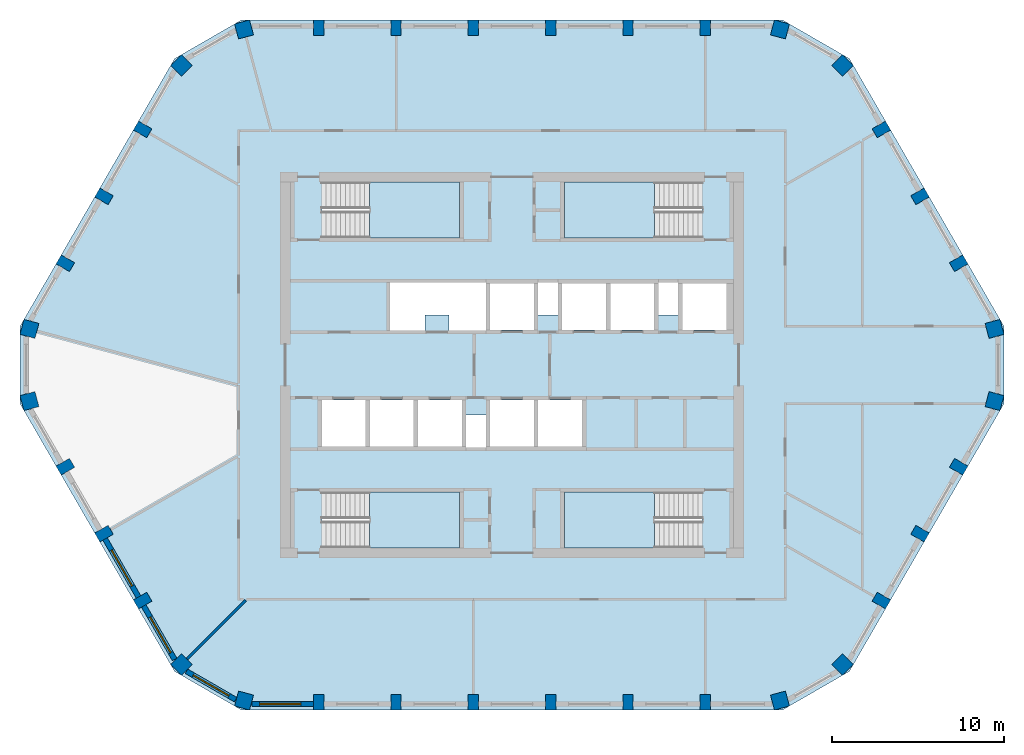
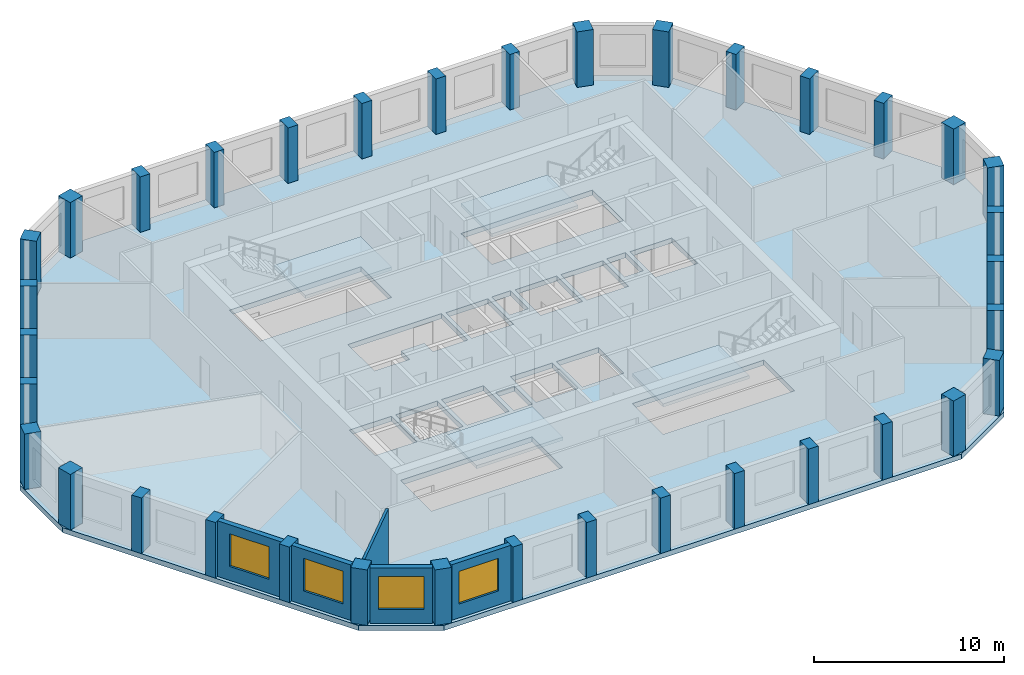
# One storey, part 1 of 9: 36 columns, 5 slabs, 5 walls, 4 windows, 4 openings, 4 elements without a shape of their own.
"""IFC4 building model written with IfcOpenShell, lengths in metres."""

from ifc_helpers import new_model, si_unit, direction, frame, frame_2d, origin, origin_2d, place, context, subcontext, project, spatial, polyline, rectangle, outline, extrude, material, layer, layer_set, material_profile, profile_set, type_object, element, fill, aggregate, save


model = new_model("IFC4")

# Units and contexts
model_context = context("Model", 3, precision=1e-05, world=origin(), true_north=direction((0.0, 1.0)))
body_context = subcontext(model_context, "Body", "Model", "MODEL_VIEW")
ifc_project = project(units=[si_unit("LENGTHUNIT", "METRE"), si_unit("AREAUNIT", "SQUARE_METRE"), si_unit("VOLUMEUNIT", "CUBIC_METRE"), si_unit("PLANEANGLEUNIT", "RADIAN"), si_unit("MASSUNIT", "GRAM", prefix="KILO")], contexts=[model_context])

# Site, building, storey
site_placement = place(None, origin())
site = spatial("IfcSite", under=ifc_project, at=site_placement, CompositionType="ELEMENT")
building_placement = place(site_placement, origin())
building = spatial("IfcBuilding", under=site, at=building_placement, Name="Dhurran Vertical Campus", CompositionType="ELEMENT")
storey_placement = place(building_placement, frame((0.0, 0.0, 294.300048828125)))
storey = spatial("IfcBuildingStorey", under=building, at=storey_placement, Name="L73", CompositionType="ELEMENT", Elevation=294.300048828125)

# Columns
ifc_material_1 = material(Name="Concrete C50/60", Category="concrete")
ifc_material_profile_1 = material_profile(ifc_material_1, rectangle(XDim=0.60009765625, YDim=0.89990234375, at=origin_2d()), Name="RC 600x900")
ifc_profile_set_1 = profile_set([ifc_material_profile_1], Name="Concrete C50/60")
column_type_1 = type_object("IfcColumnType", Name="FR COL RC 600x900 C50/60", PredefinedType="COLUMN", material=ifc_profile_set_1)
for number, where, z_axis, x_axis, name in (
    (1, (-11.25, -19.638427734375, 0.0), (0.0, 0.0, 1.0), (1.0, 0.0, 0.0), "Perimeter pier PP6.01"),
    (2, (-6.75, -19.638427734375, 0.0), (0.0, 0.0, 1.0), (1.0, 0.0, 0.0), "Perimeter pier PP6.02"),
    (3, (-2.25, -19.638427734375, 0.0), (0.0, 0.0, 1.0), (1.0, 0.0, 0.0), "Perimeter pier PP6.03"),
    (4, (2.25, -19.638427734375, 0.0), (0.0, 0.0, 1.0), (1.0, 0.0, 0.0), "Perimeter pier PP6.04"),
    (5, (6.75, -19.638427734375, 0.0), (0.0, 0.0, 1.0), (1.0, 0.0, 0.0), "Perimeter pier PP6.05"),
    (6, (11.25, -19.638427734375, 0.0), (0.0, 0.0, 1.0), (1.0, 0.0, 0.0), "Perimeter pier PP6.06"),
    (7, (21.50732421875, -13.71630859375, 0.0), (0.0, 0.0, 1.0), (0.5, 0.866025403784, 0.0), "Perimeter pier PP6.09"),
    (8, (23.75732421875, -9.819091796875, 0.0), (0.0, 0.0, 1.0), (0.5, 0.866025403784, 0.0), "Perimeter pier PP6.10"),
    (9, (26.00732421875, -5.922119140625, 0.0), (0.0, 0.0, 1.0), (0.5, 0.866025403784, 0.0), "Perimeter pier PP6.11"),
    (10, (26.00732421875, 5.922119140625, 0.0), (0.0, 0.0, 1.0), (-0.5, 0.866025403784, 0.0), "Perimeter pier PP6.14"),
    (11, (23.75732421875, 9.819091796875, 0.0), (0.0, 0.0, 1.0), (-0.5, 0.866025403784, 0.0), "Perimeter pier PP6.15"),
    (12, (21.50732421875, 13.71630859375, 0.0), (0.0, 0.0, 1.0), (-0.5, 0.866025403784, 0.0), "Perimeter pier PP6.16"),
    (13, (11.25, 19.638427734375, 0.0), (0.0, 0.0, 1.0), (-1.0, 0.0, 0.0), "Perimeter pier PP6.19"),
    (14, (6.75, 19.638427734375, 0.0), (0.0, 0.0, 1.0), (-1.0, 0.0, 0.0), "Perimeter pier PP6.20"),
    (15, (2.25, 19.638427734375, 0.0), (0.0, 0.0, 1.0), (-1.0, 0.0, 0.0), "Perimeter pier PP6.21"),
    (16, (-2.25, 19.638427734375, 0.0), (0.0, 0.0, 1.0), (-1.0, 0.0, 0.0), "Perimeter pier PP6.22"),
    (17, (-6.75, 19.638427734375, 0.0), (0.0, 0.0, 1.0), (-1.0, 0.0, 0.0), "Perimeter pier PP6.23"),
    (18, (-11.25, 19.638427734375, 0.0), (0.0, 0.0, 1.0), (-1.0, 0.0, 0.0), "Perimeter pier PP6.24"),
    (19, (-21.50732421875, 13.71630859375, 0.0), (0.0, 0.0, 1.0), (-0.5, -0.866025403784, 0.0), "Perimeter pier PP6.27"),
    (20, (-23.75732421875, 9.819091796875, 0.0), (0.0, 0.0, 1.0), (-0.5, -0.866025403784, 0.0), "Perimeter pier PP6.28"),
    (21, (-26.00732421875, 5.922119140625, 0.0), (0.0, 0.0, 1.0), (-0.5, -0.866025403784, 0.0), "Perimeter pier PP6.29"),
    (22, (-26.00732421875, -5.922119140625, 0.0), (0.0, 0.0, 1.0), (0.5, -0.866025403784, 0.0), "Perimeter pier PP6.32"),
    (23, (-23.75732421875, -9.819091796875, 0.0), (0.0, 0.0, 1.0), (0.5, -0.866025403784, 0.0), "Perimeter pier PP6.33"),
    (24, (-21.50732421875, -13.71630859375, 0.0), (0.0, 0.0, 1.0), (0.5, -0.866025403784, 0.0), "Perimeter pier PP6.34"),
):
    element("IfcColumn", number, at=place(storey_placement, frame(where, z_axis=z_axis, x_axis=x_axis)), inside=storey, type_object=column_type_1, Name=name, PredefinedType="COLUMN", context=body_context, shape_type="SweptSolid", body=[
        extrude(rectangle(XDim=0.60009765625, YDim=0.89990234375, at=origin_2d()), origin(), (0.0, 0.0, 1.0), 3.574951171875),
    ])
ifc_material_2 = material(Name="Concrete C50/60", Category="concrete")
ifc_material_profile_2 = material_profile(ifc_material_2, rectangle(XDim=0.89990234375, YDim=0.89990234375, at=origin_2d()), Name="RC 900x900")
ifc_profile_set_2 = profile_set([ifc_material_profile_2], Name="Concrete C50/60")
column_type_2 = type_object("IfcColumnType", Name="FR COL RC 900x900 C50/60", PredefinedType="COLUMN", material=ifc_profile_set_2)
for number, where, z_axis, x_axis, name in (
    (25, (-15.602294921875, -19.537353515625, 0.0), (0.0, 0.0, 1.0), (0.965925826289, -0.258819045103, 0.0), "Perimeter pier PP6.00"),
    (26, (15.602294921875, -19.537353515625, 0.0), (0.0, 0.0, 1.0), (0.965925826289, 0.258819045103, 0.0), "Perimeter pier PP6.07"),
    (27, (19.24365234375, -17.43505859375, 0.0), (0.0, 0.0, 1.0), (0.707106781187, 0.707106781187, 0.0), "Perimeter pier PP6.08"),
    (28, (28.095947265625, -2.102294921875, 0.0), (0.0, 0.0, 1.0), (0.258819045103, 0.965925826289, 0.0), "Perimeter pier PP6.12"),
    (29, (28.095947265625, 2.102294921875, 0.0), (0.0, 0.0, 1.0), (-0.258819045103, 0.965925826289, 0.0), "Perimeter pier PP6.13"),
    (30, (19.24365234375, 17.43505859375, 0.0), (0.0, 0.0, 1.0), (-0.707106781187, 0.707106781187, 0.0), "Perimeter pier PP6.17"),
    (31, (15.602294921875, 19.537353515625, 0.0), (0.0, 0.0, 1.0), (-0.965925826289, 0.258819045103, 0.0), "Perimeter pier PP6.18"),
    (32, (-15.602294921875, 19.537353515625, 0.0), (0.0, 0.0, 1.0), (-0.965925826289, -0.258819045103, 0.0), "Perimeter pier PP6.25"),
    (33, (-19.24365234375, 17.43505859375, 0.0), (0.0, 0.0, 1.0), (-0.707106781187, -0.707106781187, 0.0), "Perimeter pier PP6.26"),
    (34, (-28.095947265625, 2.102294921875, 0.0), (0.0, 0.0, 1.0), (-0.258819045103, -0.965925826289, 0.0), "Perimeter pier PP6.30"),
    (35, (-28.095947265625, -2.102294921875, 0.0), (0.0, 0.0, 1.0), (0.258819045103, -0.965925826289, 0.0), "Perimeter pier PP6.31"),
    (36, (-19.24365234375, -17.43505859375, 0.0), (0.0, 0.0, 1.0), (0.707106781187, -0.707106781187, 0.0), "Perimeter pier PP6.35"),
):
    element("IfcColumn", number, at=place(storey_placement, frame(where, z_axis=z_axis, x_axis=x_axis)), inside=storey, type_object=column_type_2, Name=name, PredefinedType="COLUMN", context=body_context, shape_type="SweptSolid", body=[
        extrude(rectangle(XDim=0.89990234375, YDim=0.89990234375, at=origin_2d()), origin(), (0.0, 0.0, 1.0), 3.574951171875),
    ])

# Slab
ifc_material_3 = material(Name="Concrete C40/50", Category="concrete")
ifc_layer_1 = layer(ifc_material_3, 0.324951171875)
ifc_layer_set_1 = layer_set([ifc_layer_1], Name="Concrete C40/50")
slab_type_1 = type_object("IfcSlabType", Name="FR POST-TENSIONED FLAT SLAB 325", PredefinedType="FLOOR", material=ifc_layer_set_1)
slab_1_placement = place(storey_placement, frame((0.0, 0.0, -0.324951171875)))
element("IfcSlab", 37, at=slab_1_placement, inside=storey, type_object=slab_type_1, Name="Floor slab L73", PredefinedType="FLOOR", context=body_context, shape_type="SweptSolid", body=[
    extrude(outline(polyline([(-15.75, -20.08837890625), (15.75, -20.08837890625), (19.647216796875, -17.83837890625), (28.647216796875, -2.25), (28.647216796875, 2.25), (19.647216796875, 17.83837890625), (15.75, 20.08837890625), (-15.75, 20.08837890625), (-19.647216796875, 17.83837890625), (-28.647216796875, 2.25), (-28.647216796875, -2.25), (-19.647216796875, -17.83837890625), (-15.75, -20.08837890625)]), holes=[polyline([(-1.27490234375, 2.050048828125), (1.27490234375, 2.050048828125), (1.27490234375, 4.75), (-1.27490234375, 4.75), (-1.27490234375, 2.050048828125)]), polyline([(9.925048828125, 2.050048828125), (12.47509765625, 2.050048828125), (12.47509765625, 4.75), (9.925048828125, 4.75), (9.925048828125, 2.050048828125)]), polyline([(-1.27490234375, -4.75), (1.27490234375, -4.75), (1.27490234375, -2.050048828125), (-1.27490234375, -2.050048828125), (-1.27490234375, -4.75)]), polyline([(1.52490234375, -4.75), (4.074951171875, -4.75), (4.074951171875, -2.050048828125), (1.52490234375, -2.050048828125), (1.52490234375, -4.75)]), polyline([(2.925048828125, 2.050048828125), (5.47509765625, 2.050048828125), (5.47509765625, 4.75), (2.925048828125, 4.75), (2.925048828125, 2.050048828125)]), polyline([(5.72509765625, 2.050048828125), (8.27490234375, 2.050048828125), (8.27490234375, 4.75), (5.72509765625, 4.75), (5.72509765625, 2.050048828125)]), polyline([(-11.074951171875, -4.75), (-8.52490234375, -4.75), (-8.52490234375, -2.050048828125), (-11.074951171875, -2.050048828125), (-11.074951171875, -4.75)]), polyline([(-8.27490234375, -4.75), (-5.72509765625, -4.75), (-5.72509765625, -2.050048828125), (-8.27490234375, -2.050048828125), (-8.27490234375, -4.75)]), polyline([(-5.47509765625, -4.75), (-2.925048828125, -4.75), (-2.925048828125, -2.050048828125), (-5.47509765625, -2.050048828125), (-5.47509765625, -4.75)]), polyline([(-11.050048828125, 7.39990234375), (-3.050048828125, 7.39990234375), (-3.050048828125, 10.64990234375), (-11.050048828125, 10.64990234375), (-11.050048828125, 7.39990234375)]), polyline([(3.050048828125, 7.39990234375), (11.050048828125, 7.39990234375), (11.050048828125, 10.64990234375), (3.050048828125, 10.64990234375), (3.050048828125, 7.39990234375)]), polyline([(-11.050048828125, -10.64990234375), (-3.050048828125, -10.64990234375), (-3.050048828125, -7.39990234375), (-11.050048828125, -7.39990234375), (-11.050048828125, -10.64990234375)]), polyline([(3.050048828125, -10.64990234375), (11.050048828125, -10.64990234375), (11.050048828125, -7.39990234375), (3.050048828125, -7.39990234375), (3.050048828125, -10.64990234375)]), polyline([(2.675048828125, 2.89990234375), (1.52490234375, 2.89990234375), (1.52490234375, 4.800048828125), (2.675048828125, 4.800048828125), (2.675048828125, 2.89990234375)]), polyline([(-2.675048828125, -2.89990234375), (-1.52490234375, -2.89990234375), (-1.52490234375, -4.800048828125), (-2.675048828125, -4.800048828125), (-2.675048828125, -2.89990234375)]), polyline([(9.675048828125, 2.89990234375), (8.52490234375, 2.89990234375), (8.52490234375, 4.800048828125), (9.675048828125, 4.800048828125), (9.675048828125, 2.89990234375)]), polyline([(-1.52490234375, 4.800048828125), (-1.52490234375, 2.0), (-3.668701171875, 2.0), (-3.668701171875, 2.89990234375), (-5.068603515625, 2.89990234375), (-5.068603515625, 2.0), (-7.21240234375, 2.0), (-7.21240234375, 4.800048828125), (-1.52490234375, 4.800048828125)])]), origin(), (0.0, 0.0, 1.0), 0.324951171875),
])

# Stair, slab
ifc_material_4 = material(Name="Concrete C40/50", Category="concrete")
stair_type = type_object("IfcStairType", Name="co-ST-CORE", PredefinedType="HALF_TURN_STAIR", material=ifc_material_4)
stair_1_placement = place(storey_placement, origin())
stair_1 = element("IfcStair", 38, at=stair_1_placement, inside=storey, type_object=stair_type, Name="L73 Protected exit stair ST1", PredefinedType="HALF_TURN_STAIR")
ifc_material_5 = material(Name="Concrete C40/50", Category="concrete")
ifc_layer_2 = layer(ifc_material_5, 0.199951171875)
ifc_layer_set_2 = layer_set([ifc_layer_2], Name="Concrete C40/50")
slab_type_2 = type_object("IfcSlabType", Name="co-SL-LANDING", PredefinedType="LANDING", material=ifc_layer_set_2)
slab_2_placement = place(storey_placement, frame((0.0, 0.0, 1.75)))
slab_2 = element("IfcSlab", 39, at=slab_2_placement, type_object=slab_type_2, Name="ST1 landing 1", PredefinedType="LANDING", context=body_context, shape_type="SweptSolid", body=[
    extrude(outline(polyline([(-8.300048828125, 7.39990234375), (-3.050048828125, 7.39990234375), (-3.050048828125, 10.64990234375), (-8.300048828125, 10.64990234375), (-8.300048828125, 7.39990234375)])), origin(), (0.0, 0.0, 1.0), 0.199951171875),
])
aggregate(stair_1, [slab_2])

stair_2_placement = place(storey_placement, origin())
stair_2 = element("IfcStair", 40, at=stair_2_placement, inside=storey, type_object=stair_type, Name="L73 Protected exit stair ST2", PredefinedType="HALF_TURN_STAIR")
slab_3_placement = place(storey_placement, frame((0.0, 0.0, 1.75)))
slab_3 = element("IfcSlab", 41, at=slab_3_placement, type_object=slab_type_2, Name="ST2 landing 1", PredefinedType="LANDING", context=body_context, shape_type="SweptSolid", body=[
    extrude(outline(polyline([(8.300048828125, 10.64990234375), (3.050048828125, 10.64990234375), (3.050048828125, 7.39990234375), (8.300048828125, 7.39990234375), (8.300048828125, 10.64990234375)])), origin(), (0.0, 0.0, 1.0), 0.199951171875),
])
aggregate(stair_2, [slab_3])

stair_3_placement = place(storey_placement, origin())
stair_3 = element("IfcStair", 42, at=stair_3_placement, inside=storey, type_object=stair_type, Name="L73 Protected exit stair ST3", PredefinedType="HALF_TURN_STAIR")
slab_4_placement = place(storey_placement, frame((0.0, 0.0, 1.75)))
slab_4 = element("IfcSlab", 43, at=slab_4_placement, type_object=slab_type_2, Name="ST3 landing 1", PredefinedType="LANDING", context=body_context, shape_type="SweptSolid", body=[
    extrude(outline(polyline([(-8.300048828125, -10.64990234375), (-3.050048828125, -10.64990234375), (-3.050048828125, -7.39990234375), (-8.300048828125, -7.39990234375), (-8.300048828125, -10.64990234375)])), origin(), (0.0, 0.0, 1.0), 0.199951171875),
])
aggregate(stair_3, [slab_4])

stair_4_placement = place(storey_placement, origin())
stair_4 = element("IfcStair", 44, at=stair_4_placement, inside=storey, type_object=stair_type, Name="L73 Protected exit stair ST4", PredefinedType="HALF_TURN_STAIR")
slab_5_placement = place(storey_placement, frame((0.0, 0.0, 1.75)))
slab_5 = element("IfcSlab", 45, at=slab_5_placement, type_object=slab_type_2, Name="ST4 landing 1", PredefinedType="LANDING", context=body_context, shape_type="SweptSolid", body=[
    extrude(outline(polyline([(8.300048828125, -7.39990234375), (3.050048828125, -7.39990234375), (3.050048828125, -10.64990234375), (8.300048828125, -10.64990234375), (8.300048828125, -7.39990234375)])), origin(), (0.0, 0.0, 1.0), 0.199951171875),
])
aggregate(stair_4, [slab_5])

# Wall, opening, window
ifc_material_6 = material(Name="Precast concrete C50/60", Category="concrete")
ifc_layer_3 = layer(ifc_material_6, 0.300048828125)
ifc_layer_set_3 = layer_set([ifc_layer_3], Name="Precast concrete C50/60")
wall_type_1 = type_object("IfcWallType", Name="Precast spandrel wall 300", PredefinedType="SOLIDWALL", material=ifc_layer_set_3)
wall_1_placement = place(storey_placement, frame((-15.14990234375, -19.738525390625, 0.0), z_axis=(0.0, 0.0, 1.0), x_axis=(1.0, 0.0, 0.0)))
wall_1 = element("IfcWall", 46, at=wall_1_placement, inside=storey, type_object=wall_type_1, Name="EW1 L73.00", PredefinedType="SOLIDWALL", context=body_context, shape_type="SweptSolid", body=[
    extrude(rectangle(XDim=3.599365234375, YDim=0.300048828125, at=frame_2d((1.7998046875, 0.0))), origin(), (0.0, 0.0, 1.0), 3.574951171875),
])
opening_1_placement = place(wall_1_placement, frame((0.449951171875, 0.0, 0.89990234375)))
opening_1 = element("IfcOpeningElement", 47, at=opening_1_placement, cuts=wall_1, Name="Opening WT1", PredefinedType="OPENING", context=body_context, shape_type="SweptSolid", body=[
    extrude(rectangle(XDim=2.39990234375, YDim=2.10009765625, at=frame_2d((1.199951171875, 1.050048828125))), frame((0.0, 0.159912109375, 0.0), z_axis=(0.0, -1.0, 0.0), x_axis=(1.0, 0.0, 0.0)), (0.0, 0.0, 1.0), 0.320068359375),
])
ifc_material_7 = material(Name="Aluminium frame with solar-control glass", Category="aluminium")
window_type = type_object("IfcWindowType", Name="Punched window 2400 x 2100", PartitioningType="SINGLE_PANEL", PredefinedType="WINDOW", material=ifc_material_7)
window_1_placement = place(opening_1_placement, origin())
window_1 = element("IfcWindow", 48, at=window_1_placement, inside=storey, type_object=window_type, Name="WT1 L73.00", OverallHeight=2.10009765625, OverallWidth=2.39990234375, PartitioningType="SINGLE_PANEL", PredefinedType="WINDOW", context=body_context, shape_type="SweptSolid", body=[
    extrude(rectangle(XDim=2.39990234375, YDim=2.10009765625, at=frame_2d((1.199951171875, 1.050048828125))), frame((0.0, 0.030029296875, 0.0), z_axis=(0.0, -1.0, 0.0), x_axis=(1.0, 0.0, 0.0)), (0.0, 0.0, 1.0), 0.06005859375),
])
fill(opening_1, window_1)

wall_2_placement = place(storey_placement, frame((-23.69384765625, -10.12939453125, 0.0), z_axis=(0.0, 0.0, 1.0), x_axis=(0.499984428715, -0.866034393683, 0.0)))
wall_2 = element("IfcWall", 49, at=wall_2_placement, inside=storey, type_object=wall_type_1, Name="EW1 L73.33", PredefinedType="SOLIDWALL", context=body_context, shape_type="SweptSolid", body=[
    extrude(rectangle(XDim=3.89892578125, YDim=0.300048828125, at=frame_2d((1.949462890625, 0.0))), origin(), (0.0, 0.0, 1.0), 3.574951171875),
])
opening_2_placement = place(wall_2_placement, frame((0.74951171875, 0.0, 0.89990234375)))
opening_2 = element("IfcOpeningElement", 50, at=opening_2_placement, cuts=wall_2, Name="Opening WT1", PredefinedType="OPENING", context=body_context, shape_type="SweptSolid", body=[
    extrude(rectangle(XDim=2.39990234375, YDim=2.10009765625, at=frame_2d((1.199951171875, 1.050048828125))), frame((0.0, 0.159912109375, 0.0), z_axis=(0.0, -1.0, 0.0), x_axis=(1.0, 0.0, 0.0)), (0.0, 0.0, 1.0), 0.320068359375),
])
window_2_placement = place(opening_2_placement, origin())
window_2 = element("IfcWindow", 51, at=window_2_placement, inside=storey, type_object=window_type, Name="WT1 L73.33", OverallHeight=2.10009765625, OverallWidth=2.39990234375, PartitioningType="SINGLE_PANEL", PredefinedType="WINDOW", context=body_context, shape_type="SweptSolid", body=[
    extrude(rectangle(XDim=2.39990234375, YDim=2.10009765625, at=frame_2d((1.199951171875, 1.050048828125))), frame((0.0, 0.030029296875, 0.0), z_axis=(0.0, -1.0, 0.0), x_axis=(1.0, 0.0, 0.0)), (0.0, 0.0, 1.0), 0.06005859375),
])
fill(opening_2, window_2)

wall_3_placement = place(storey_placement, frame((-21.44384765625, -14.026611328125, 0.0), z_axis=(0.0, 0.0, 1.0), x_axis=(0.50001992892, -0.866013897511, 0.0)))
wall_3 = element("IfcWall", 52, at=wall_3_placement, inside=storey, type_object=wall_type_1, Name="EW1 L73.34", PredefinedType="SOLIDWALL", context=body_context, shape_type="SweptSolid", body=[
    extrude(rectangle(XDim=3.599365234375, YDim=0.300048828125, at=frame_2d((1.7998046875, 0.0))), origin(), (0.0, 0.0, 1.0), 3.574951171875),
])
opening_3_placement = place(wall_3_placement, frame((0.74951171875, 0.0, 0.89990234375)))
opening_3 = element("IfcOpeningElement", 53, at=opening_3_placement, cuts=wall_3, Name="Opening WT1", PredefinedType="OPENING", context=body_context, shape_type="SweptSolid", body=[
    extrude(rectangle(XDim=2.39990234375, YDim=2.10009765625, at=frame_2d((1.199951171875, 1.050048828125))), frame((0.0, 0.159912109375, 0.0), z_axis=(0.0, -1.0, 0.0), x_axis=(1.0, 0.0, 0.0)), (0.0, 0.0, 1.0), 0.320068359375),
])
window_3_placement = place(opening_3_placement, origin())
window_3 = element("IfcWindow", 54, at=window_3_placement, inside=storey, type_object=window_type, Name="WT1 L73.34", OverallHeight=2.10009765625, OverallWidth=2.39990234375, PartitioningType="SINGLE_PANEL", PredefinedType="WINDOW", context=body_context, shape_type="SweptSolid", body=[
    extrude(rectangle(XDim=2.39990234375, YDim=2.10009765625, at=frame_2d((1.199951171875, 1.050048828125))), frame((0.0, 0.030029296875, 0.0), z_axis=(0.0, -1.0, 0.0), x_axis=(1.0, 0.0, 0.0)), (0.0, 0.0, 1.0), 0.06005859375),
])
fill(opening_3, window_3)

wall_4_placement = place(storey_placement, frame((-18.952392578125, -17.83544921875, 0.0), z_axis=(0.0, 0.0, 1.0), x_axis=(0.866021716278, -0.500006386895, 0.0)))
wall_4 = element("IfcWall", 55, at=wall_4_placement, inside=storey, type_object=wall_type_1, Name="EW1 L73.35", PredefinedType="SOLIDWALL", context=body_context, shape_type="SweptSolid", body=[
    extrude(rectangle(XDim=3.2998046875, YDim=0.300048828125, at=frame_2d((1.64990234375, 0.0))), origin(), (0.0, 0.0, 1.0), 3.574951171875),
])
opening_4_placement = place(wall_4_placement, frame((0.449951171875, 0.0, 0.89990234375)))
opening_4 = element("IfcOpeningElement", 56, at=opening_4_placement, cuts=wall_4, Name="Opening WT1", PredefinedType="OPENING", context=body_context, shape_type="SweptSolid", body=[
    extrude(rectangle(XDim=2.39990234375, YDim=2.10009765625, at=frame_2d((1.199951171875, 1.050048828125))), frame((0.0, 0.159912109375, 0.0), z_axis=(0.0, -1.0, 0.0), x_axis=(1.0, 0.0, 0.0)), (0.0, 0.0, 1.0), 0.320068359375),
])
window_4_placement = place(opening_4_placement, origin())
window_4 = element("IfcWindow", 57, at=window_4_placement, inside=storey, type_object=window_type, Name="WT1 L73.35", OverallHeight=2.10009765625, OverallWidth=2.39990234375, PartitioningType="SINGLE_PANEL", PredefinedType="WINDOW", context=body_context, shape_type="SweptSolid", body=[
    extrude(rectangle(XDim=2.39990234375, YDim=2.10009765625, at=frame_2d((1.199951171875, 1.050048828125))), frame((0.0, 0.030029296875, 0.0), z_axis=(0.0, -1.0, 0.0), x_axis=(1.0, 0.0, 0.0)), (0.0, 0.0, 1.0), 0.06005859375),
])
fill(opening_4, window_4)

# Wall
ifc_material_8 = material(Name="Gypsum board partition on steel studs", Category="steel")
ifc_layer_4 = layer(ifc_material_8, 0.14990234375)
ifc_layer_set_4 = layer_set([ifc_layer_4], Name="Gypsum board partition on steel studs")
wall_type_2 = type_object("IfcWallType", Name="fl-PW-150 fixed partition", PredefinedType="PARTITIONING", material=ifc_layer_set_4)
wall_5_placement = place(storey_placement, frame((-15.511962890625, -13.702880859375, 0.0), z_axis=(0.0, 0.0, 1.0), x_axis=(-0.707030604857, -0.70718294931, 0.0)))
element("IfcWall", 58, at=wall_5_placement, inside=storey, type_object=wall_type_2, Name="Partition 73-04", PredefinedType="PARTITIONING", context=body_context, shape_type="SweptSolid", body=[
    extrude(rectangle(XDim=4.8076171875, YDim=0.14990234375, at=frame_2d((2.40380859375, 0.0))), origin(), (0.0, 0.0, 1.0), 3.574951171875),
])

save(model, "model.ifc")
